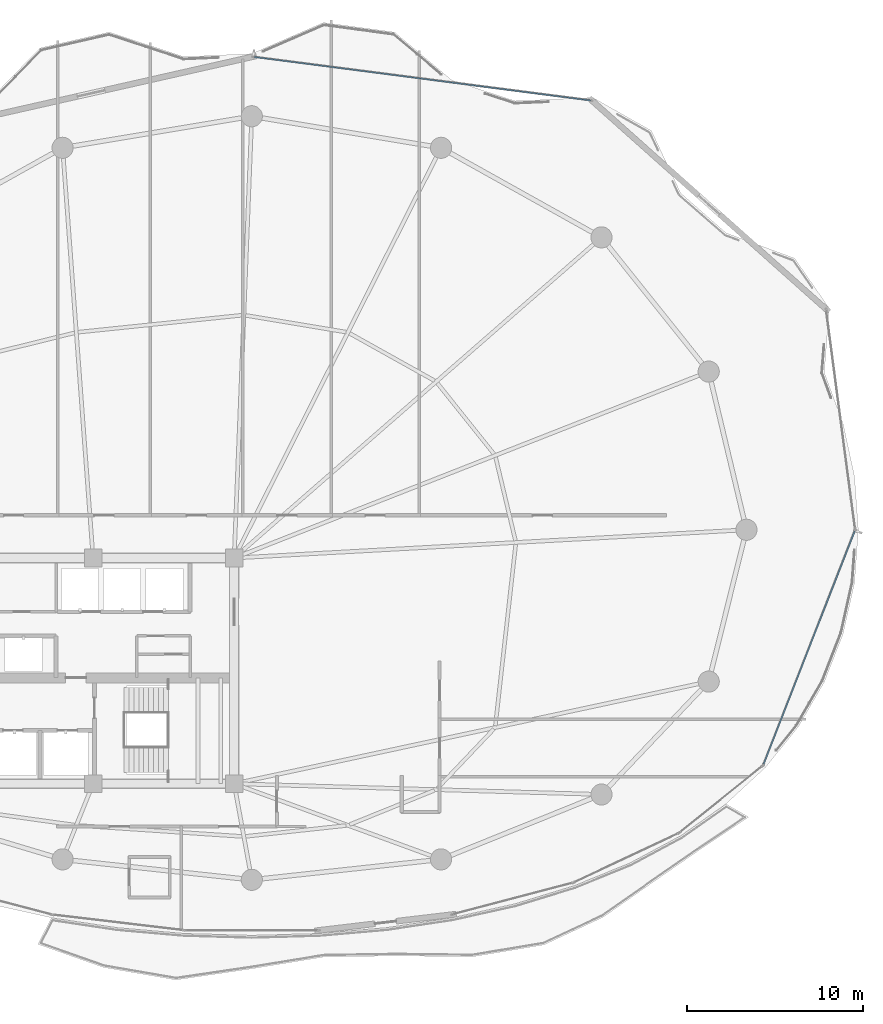
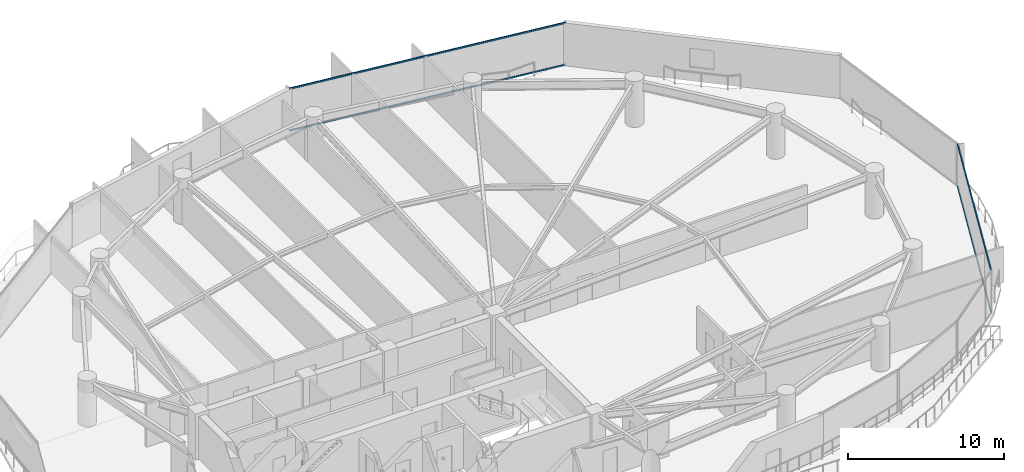
# One storey, part 23 of 33: 4 members, 2 elements without a shape of their own.
"""IFC4 building model written with IfcOpenShell, lengths in metres."""

import ifcopenshell
import ifcopenshell.guid

model = None  # the IFC model being written
_history = None  # IfcOwnerHistory: only IFC2X3 demands one
_inside = {}  # id of a spatial element -> (the spatial element, [elements in it])
_under = {}  # id of a project, library or spatial element -> (it, [spatial elements below it])
_declared = {}  # id of a project -> (the project, [libraries it declares])
_typed = {}  # id of a type object -> (the type object, [elements of that type])
_made_of = {}  # id of a material, layer set ... -> (it, [elements and type objects made of it])


def new_model(schema):
    """Start an empty IFC model of exactly this schema.

    Asked for "IFC4X3", IfcOpenShell would pick the latest addendum, in which some entities
    have other attributes; the version numbers below select the first issue.
    IFC2X3 requires an IfcOwnerHistory on every rooted entity: one is made here for all.
    """
    global model, _history
    if schema == "IFC4X3":
        model = ifcopenshell.file(schema_version=(4, 3, 0, 0))
    else:
        model = ifcopenshell.file(schema=schema)
    _inside.clear()
    _under.clear()
    _declared.clear()
    _typed.clear()
    _made_of.clear()
    _history = None
    if model.schema == "IFC2X3":
        org = make("IfcOrganization", Name="unknown")
        user = make(
            "IfcPersonAndOrganization",
            ThePerson=make("IfcPerson", FamilyName="unknown"),
            TheOrganization=org,
        )
        app = make(
            "IfcApplication",
            ApplicationDeveloper=org,
            Version="unknown",
            ApplicationFullName="unknown",
            ApplicationIdentifier="unknown",
        )
        _history = make(
            "IfcOwnerHistory",
            OwningUser=user,
            OwningApplication=app,
            ChangeAction="ADDED",
            CreationDate=0,
        )
    return model


def make(cls, **values):
    """One entity of the class cls with the attributes given. An attribute that is None is left unset."""
    return model.create_entity(
        cls, **{name: value for name, value in values.items() if value is not None}
    )


def rooted(cls, **values):
    """An entity with a GlobalId (a new one), such as an element, a storey or a relation."""
    return make(cls, GlobalId=ifcopenshell.guid.new(), OwnerHistory=_history, **values)


def si_unit(unit_type, name, prefix=None):
    """IfcSIUnit, for example si_unit("LENGTHUNIT", "METRE", prefix="MILLI")."""
    return make("IfcSIUnit", UnitType=unit_type, Prefix=prefix, Name=name)


def assignment(units):
    """IfcUnitAssignment: the units of a project."""
    return None if units is None else make("IfcUnitAssignment", Units=units)


def point(xyz):
    """IfcCartesianPoint."""
    return None if xyz is None else make("IfcCartesianPoint", Coordinates=xyz)


def direction(xyz):
    """IfcDirection."""
    return None if xyz is None else make("IfcDirection", DirectionRatios=xyz)


def frame(location, z_axis=None, x_axis=None):
    """IfcAxis2Placement3D, a coordinate frame: its origin and axes. An axis left out is left unset."""
    return make(
        "IfcAxis2Placement3D",
        Location=point(location),
        Axis=direction(z_axis),
        RefDirection=direction(x_axis),
    )


def frame_2d(location, x_axis=None):
    """IfcAxis2Placement2D, a coordinate frame in the plane: its origin and x axis."""
    return make(
        "IfcAxis2Placement2D", Location=point(location), RefDirection=direction(x_axis)
    )


def origin():
    """The frame at (0, 0, 0) with its axes left unset."""
    return frame((0.0, 0.0, 0.0))


def origin_2d():
    """The frame at (0, 0) in the plane with its x axis left unset."""
    return frame_2d((0.0, 0.0))


def place(relative_to, where):
    """IfcLocalPlacement: puts the frame where relative to a parent placement (None: the world)."""
    return make(
        "IfcLocalPlacement", PlacementRelTo=relative_to, RelativePlacement=where
    )


def context(
    kind, dimensions, precision=None, world=None, true_north=None, identifier=None
):
    """IfcGeometricRepresentationContext, for example the 3D "Model" context."""
    return make(
        "IfcGeometricRepresentationContext",
        ContextIdentifier=identifier,
        ContextType=kind,
        CoordinateSpaceDimension=dimensions,
        Precision=precision,
        WorldCoordinateSystem=world,
        TrueNorth=true_north,
    )


def subcontext(parent, identifier, kind, view, scale=None):
    """IfcGeometricRepresentationSubContext, for example "Body" below "Model"."""
    return make(
        "IfcGeometricRepresentationSubContext",
        ContextIdentifier=identifier,
        ContextType=kind,
        ParentContext=parent,
        TargetScale=scale,
        TargetView=view,
    )


def project(units=None, contexts=None):
    """IfcProject with its units and contexts."""
    return rooted(
        "IfcProject",
        Name="project",
        RepresentationContexts=contexts,
        UnitsInContext=assignment(units),
    )


def spatial(cls, under=None, at=None, **own):
    """A site, building, storey or space (cls), placed at a placement, below another one or the project."""
    s = rooted(cls, ObjectPlacement=at, **own)
    if under is not None:
        _under.setdefault(under.id(), (under, []))[1].append(s)
    return s


def profile(cls, at=None, kind="AREA", **sizes):
    """A parametric profile (cls). Its sizes go by their IFC names, for example OverallWidth=200.0."""
    return make(cls, ProfileType=kind, Position=at, **sizes)


def hollow_rectangle(**sizes):
    """IfcRectangleHollowProfileDef."""
    return profile("IfcRectangleHollowProfileDef", **sizes)


def extrude(swept, where, along, depth):
    """IfcExtrudedAreaSolid: the profile swept, set in the frame where, extruded along a direction by depth."""
    return make(
        "IfcExtrudedAreaSolid",
        SweptArea=swept,
        Position=where,
        ExtrudedDirection=direction(along),
        Depth=depth,
    )


def shape(context_of_items, identifier, shape_type, items):
    """IfcShapeRepresentation: the items that make up one representation, for example the "Body"."""
    return make(
        "IfcShapeRepresentation",
        ContextOfItems=context_of_items,
        RepresentationIdentifier=identifier,
        RepresentationType=shape_type,
        Items=items,
    )


def material(Name=None, Category=None):
    """IfcMaterial."""
    return make("IfcMaterial", Name=Name, Category=Category)


def layer(
    of_material, thickness, ventilated=None, Name=None, Category=None, Priority=None
):
    """IfcMaterialLayer: one layer of a wall or slab, of a material (None: an air gap)."""
    return make(
        "IfcMaterialLayer",
        Material=of_material,
        LayerThickness=thickness,
        IsVentilated=ventilated,
        Name=Name,
        Category=Category,
        Priority=Priority,
    )


def layer_set(layers, Name=None):
    """IfcMaterialLayerSet."""
    return make("IfcMaterialLayerSet", MaterialLayers=layers, LayerSetName=Name)


def material_profile(
    of_material, cross_section, Name=None, Category=None, Priority=None
):
    """IfcMaterialProfile: a cross section and its material."""
    return make(
        "IfcMaterialProfile",
        Name=Name,
        Material=of_material,
        Profile=cross_section,
        Priority=Priority,
        Category=Category,
    )


def profile_set(profiles, Name=None, composite=None):
    """IfcMaterialProfileSet."""
    return make(
        "IfcMaterialProfileSet",
        Name=Name,
        MaterialProfiles=profiles,
        CompositeProfile=composite,
    )


def made_of(thing, what):
    """Note that an element or type object is made of a material, layer set ...; save() writes the relation."""
    if what is not None:
        _made_of.setdefault(what.id(), (what, []))[1].append(thing)
    return thing


def type_object(cls, material=None, **own):
    """A type object (cls), such as IfcWallType, which elements share."""
    return made_of(rooted(cls, **own), material)


def element(
    cls,
    number,
    at=None,
    inside=None,
    cuts=None,
    type_object=None,
    material=None,
    context=None,
    identifier="Body",
    shape_type=None,
    held_by="IfcProductDefinitionShape",
    body=None,
    shapes=None,
    **own,
):
    """One element of the class cls, such as IfcWall. Its Tag is "e" and its number.

    at: its placement. inside: the storey or other place that contains it. cuts: it is an
    opening in that element (IfcRelVoidsElement). A single representation is given by context,
    identifier, shape_type and body (its items); several are given by shapes. held_by: the class
    of the entity that holds the representations. save() writes the other relations.
    """
    e = rooted(cls, Tag="e%d" % number, ObjectPlacement=at, **own)
    if body is not None:
        shapes = [shape(context, identifier, shape_type, body)]
    if shapes is not None:
        e.Representation = make(held_by, Representations=shapes)
    if inside is not None:
        _inside.setdefault(inside.id(), (inside, []))[1].append(e)
    if cuts is not None:
        rooted(
            "IfcRelVoidsElement", RelatingBuildingElement=cuts, RelatedOpeningElement=e
        )
    if type_object is not None:
        _typed.setdefault(type_object.id(), (type_object, []))[1].append(e)
    return made_of(e, material)


def aggregate(whole, parts):
    """IfcRelAggregates: a whole, such as a stair, and the parts it consists of."""
    return rooted("IfcRelAggregates", RelatingObject=whole, RelatedObjects=parts)


def save(model, path):
    """Write the relations noted so far, then the file.

    IfcRelAggregates (storeys below a building ...), IfcRelContainedInSpatialStructure (elements
    in a storey), IfcRelDefinesByType, IfcRelAssociatesMaterial and IfcRelDeclares: one each for
    every whole, place, type object, material and project.
    """
    for whole, parts in _under.values():
        aggregate(whole, parts)
    for where, things in _inside.values():
        rooted(
            "IfcRelContainedInSpatialStructure",
            RelatedElements=things,
            RelatingStructure=where,
        )
    for kind, things in _typed.values():
        rooted("IfcRelDefinesByType", RelatedObjects=things, RelatingType=kind)
    for what, things in _made_of.values():
        rooted("IfcRelAssociatesMaterial", RelatedObjects=things, RelatingMaterial=what)
    for by, libraries in _declared.values():
        rooted("IfcRelDeclares", RelatingContext=by, RelatedDefinitions=libraries)
    model.write(path)


model = new_model("IFC4")

# Units and contexts
model_context = context("Model", 3, precision=1e-05, world=origin(), true_north=direction((0.0, 1.0)))
body_context = subcontext(model_context, "Body", "Model", "MODEL_VIEW")
ifc_project = project(units=[si_unit("LENGTHUNIT", "METRE"), si_unit("AREAUNIT", "SQUARE_METRE"), si_unit("VOLUMEUNIT", "CUBIC_METRE"), si_unit("PLANEANGLEUNIT", "RADIAN"), si_unit("MASSUNIT", "GRAM", prefix="KILO")], contexts=[model_context])

# Site, building, storey
site_placement = place(None, origin())
site = spatial("IfcSite", under=ifc_project, at=site_placement, CompositionType="ELEMENT")
building_placement = place(site_placement, origin())
building = spatial("IfcBuilding", under=site, at=building_placement, Name="Kazevale Care Tower and Concert Hall", CompositionType="ELEMENT")
storey_placement = place(building_placement, frame((0.0, 0.0, 153.0)))
storey = spatial("IfcBuildingStorey", under=building, at=storey_placement, Name="L40", CompositionType="ELEMENT", Elevation=153.0)

# Curtain wall, members
ifc_material_1 = material(Name="Aluminium 6063-T6 and Low-E Glass", Category="aluminium")
ifc_layer_1 = layer(ifc_material_1, 0.179931640625)
ifc_layer_set_1 = layer_set([ifc_layer_1], Name="Aluminium 6063-T6 and Low-E Glass")
curtain_wall_type_1 = type_object("IfcCurtainWallType", Name="Convex Recessed Sunroom Curtain Wall CW-3", PredefinedType="NOTDEFINED", material=ifc_layer_set_1)
curtain_wall_1_placement = place(storey_placement, origin())
curtain_wall_1 = element("IfcCurtainWall", 1, at=curtain_wall_1_placement, inside=storey, type_object=curtain_wall_type_1, Name="cw:L40:f16", PredefinedType="NOTDEFINED")
ifc_material_2 = material(Name="Aluminium 6063-T6", Category="aluminium")
ifc_material_profile_1 = material_profile(ifc_material_2, hollow_rectangle(XDim=0.074951171875, YDim=0.1201171875, WallThickness=0.00390625, at=origin_2d()), Name="ALU75x120x4")
ifc_profile_set_1 = profile_set([ifc_material_profile_1], Name="Aluminium 6063-T6")
member_type_1 = type_object("IfcMemberType", Name="CW-3 Transom ALU75x120x4", PredefinedType="USERDEFINED", material=ifc_profile_set_1)
member_1_placement = place(storey_placement, frame((45.115478515625, 64.812255859375, 0.03759765625), z_axis=(0.991735891754, -0.128296223669, 0.0), x_axis=(0.128296223669, 0.991735891754, 0.0)))
member_1 = element("IfcMember", 2, at=member_1_placement, type_object=member_type_1, Name="CW-3 transom 1.1", ObjectType="TRANSOM", PredefinedType="USERDEFINED", context=body_context, shape_type="SweptSolid", body=[
    extrude(hollow_rectangle(XDim=0.074951171875, YDim=0.1201171875, WallThickness=0.00390625, at=origin_2d()), origin(), (0.0, 0.0, 1.0), 19.265380859375),
])
member_2_placement = place(storey_placement, frame((45.115478515625, 64.812255859375, 3.322509765625), z_axis=(0.991735891754, -0.128296223669, 0.0), x_axis=(0.128296223669, 0.991735891754, 0.0)))
member_2 = element("IfcMember", 3, at=member_2_placement, type_object=member_type_1, Name="CW-3 transom 1.2", ObjectType="TRANSOM", PredefinedType="USERDEFINED", context=body_context, shape_type="SweptSolid", body=[
    extrude(hollow_rectangle(XDim=0.074951171875, YDim=0.1201171875, WallThickness=0.00390625, at=origin_2d()), origin(), (0.0, 0.0, 1.0), 19.265380859375),
])
aggregate(curtain_wall_1, [member_1, member_2])

ifc_layer_2 = layer(ifc_material_1, 0.179931640625)
ifc_layer_set_2 = layer_set([ifc_layer_2], Name="Aluminium 6063-T6 and Low-E Glass")
curtain_wall_type_2 = type_object("IfcCurtainWallType", Name="Waist & Upper Residential Curtain Wall CW-4", PredefinedType="NOTDEFINED", material=ifc_layer_set_2)
curtain_wall_2_placement = place(storey_placement, origin())
curtain_wall_2 = element("IfcCurtainWall", 4, at=curtain_wall_2_placement, inside=storey, type_object=curtain_wall_type_2, Name="cw:L40:f01", PredefinedType="NOTDEFINED")
ifc_material_profile_2 = material_profile(ifc_material_2, hollow_rectangle(XDim=0.080078125, YDim=0.139892578125, WallThickness=0.00390625, at=origin_2d()), Name="ALU80x140x4")
ifc_profile_set_2 = profile_set([ifc_material_profile_2], Name="Aluminium 6063-T6")
member_type_2 = type_object("IfcMemberType", Name="CW-4 Transom ALU80x140x4", PredefinedType="USERDEFINED", material=ifc_profile_set_2)
member_3_placement = place(storey_placement, frame((79.19091796875, 37.925537109375, 0.0400390625), z_axis=(-0.364119027629, -0.931352421868, 0.0), x_axis=(0.931352421868, -0.364119027629, 0.0)))
member_3 = element("IfcMember", 5, at=member_3_placement, type_object=member_type_2, Name="CW-4 transom 1.1", ObjectType="TRANSOM", PredefinedType="USERDEFINED", context=body_context, shape_type="SweptSolid", body=[
    extrude(hollow_rectangle(XDim=0.080078125, YDim=0.139892578125, WallThickness=0.00390625, at=origin_2d()), origin(), (0.0, 0.0, 1.0), 14.18701171875),
])
member_4_placement = place(storey_placement, frame((79.19091796875, 37.925537109375, 3.320068359375), z_axis=(-0.364119027629, -0.931352421868, 0.0), x_axis=(0.931352421868, -0.364119027629, 0.0)))
member_4 = element("IfcMember", 6, at=member_4_placement, type_object=member_type_2, Name="CW-4 transom 1.2", ObjectType="TRANSOM", PredefinedType="USERDEFINED", context=body_context, shape_type="SweptSolid", body=[
    extrude(hollow_rectangle(XDim=0.080078125, YDim=0.139892578125, WallThickness=0.00390625, at=origin_2d()), origin(), (0.0, 0.0, 1.0), 14.18701171875),
])
aggregate(curtain_wall_2, [member_3, member_4])

save(model, "model.ifc")
